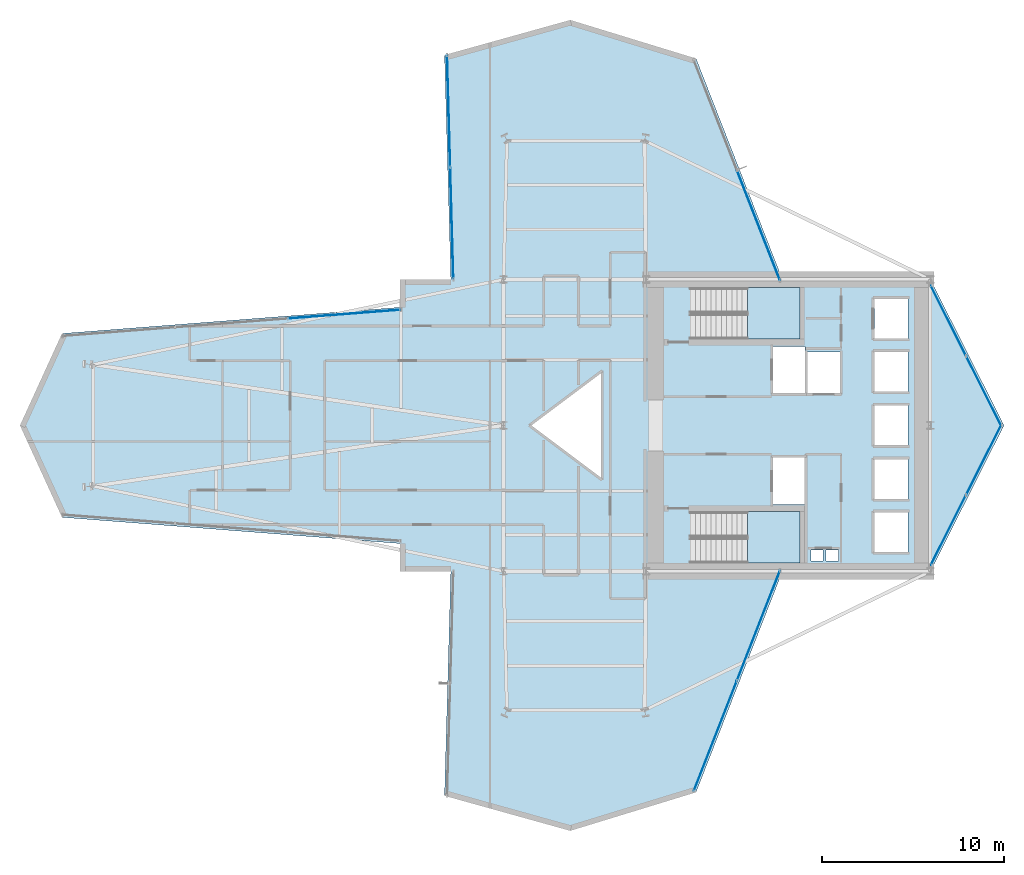
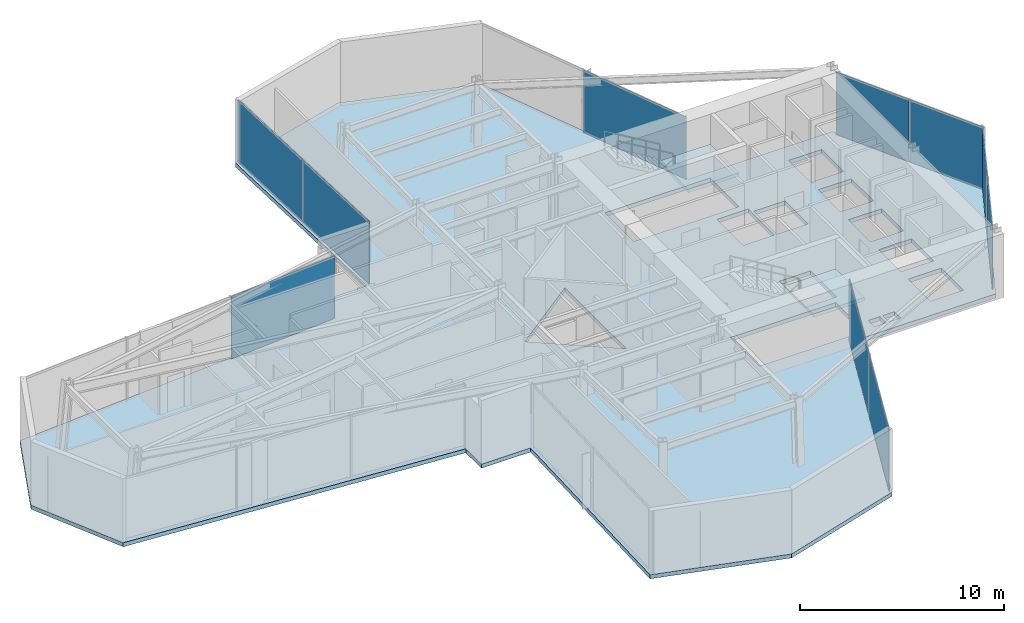
# One storey, part 24 of 29: 10 plates, 3 slabs, 8 elements without a shape of their own.
"""IFC4 building model written with IfcOpenShell, lengths in metres."""

from ifc_helpers import new_model, si_unit, direction, frame, origin, origin_2d, place, context, subcontext, project, spatial, polyline, rectangle, outline, extrude, material, layer, layer_set, type_object, element, aggregate, save


model = new_model("IFC4")

# Units and contexts
model_context = context("Model", 3, precision=1e-05, world=origin(), true_north=direction((0.0, 1.0)))
body_context = subcontext(model_context, "Body", "Model", "MODEL_VIEW")
ifc_project = project(units=[si_unit("LENGTHUNIT", "METRE"), si_unit("AREAUNIT", "SQUARE_METRE"), si_unit("VOLUMEUNIT", "CUBIC_METRE"), si_unit("PLANEANGLEUNIT", "RADIAN"), si_unit("MASSUNIT", "GRAM", prefix="KILO")], contexts=[model_context])

# Site, building, storey
site_placement = place(None, origin())
site = spatial("IfcSite", under=ifc_project, at=site_placement, CompositionType="ELEMENT")
building_placement = place(site_placement, origin())
building = spatial("IfcBuilding", under=site, at=building_placement, Name="Veymaron Broadcast Tower", CompositionType="ELEMENT")
storey_placement = place(building_placement, frame((0.0, 0.0, 58.050048828125)))
storey = spatial("IfcBuildingStorey", under=building, at=storey_placement, Name="L12", CompositionType="ELEMENT", Elevation=58.050048828125)

# Curtain wall, plates
ifc_material_1 = material(Name="Anodised aluminium AA 6063-T6 and laminated low-E dark glass", Category="aluminium")
ifc_layer_1 = layer(ifc_material_1, 0.179931640625)
ifc_layer_set_1 = layer_set([ifc_layer_1], Name="Anodised aluminium AA 6063-T6 and laminated low-E dark glass")
curtain_wall_type = type_object("IfcCurtainWallType", Name="CW-SYS-02", PredefinedType="NOTDEFINED", material=ifc_layer_set_1)
curtain_wall_1_placement = place(storey_placement, origin())
curtain_wall_1 = element("IfcCurtainWall", 1, at=curtain_wall_1_placement, inside=storey, type_object=curtain_wall_type, Name="L12 dark-glass curtain wall CW-L12-E2-1", PredefinedType="NOTDEFINED")
ifc_material_2 = material(Name="Double-silver solar-control dark glass IGU 32 mm", Category="glass")
ifc_layer_2 = layer(ifc_material_2, 0.031982421875)
ifc_layer_set_2 = layer_set([ifc_layer_2], Name="Double-silver solar-control dark glass IGU 32 mm")
plate_type = type_object("IfcPlateType", Name="CW-PNL-02", PredefinedType="CURTAIN_PANEL", material=ifc_layer_set_2)
plate_1_placement = place(storey_placement, frame((55.57958984375, 18.2548828125, 0.0400390625), z_axis=(0.0, 0.0, 1.0), x_axis=(0.450067269918, 0.892994654267, 0.0)))
plate_1 = element("IfcPlate", 2, at=plate_1_placement, type_object=plate_type, Name="CW-L12-E2-1 unitised curtain panel 0", PredefinedType="CURTAIN_PANEL", context=body_context, shape_type="SweptSolid", body=[
    extrude(rectangle(XDim=4.276123046875, YDim=0.031982421875, at=origin_2d()), origin(), (0.0, 0.0, 1.0), 3.72998046875),
])
plate_2_placement = place(storey_placement, frame((57.53125, 22.126953125, 0.0400390625), z_axis=(0.0, 0.0, 1.0), x_axis=(0.450067269918, 0.892994654267, 0.0)))
plate_2 = element("IfcPlate", 3, at=plate_2_placement, type_object=plate_type, Name="CW-L12-E2-1 unitised curtain panel 1", PredefinedType="CURTAIN_PANEL", context=body_context, shape_type="SweptSolid", body=[
    extrude(rectangle(XDim=4.276123046875, YDim=0.031982421875, at=origin_2d()), origin(), (0.0, 0.0, 1.0), 3.72998046875),
])
aggregate(curtain_wall_1, [plate_1, plate_2])

curtain_wall_2_placement = place(storey_placement, origin())
curtain_wall_2 = element("IfcCurtainWall", 4, at=curtain_wall_2_placement, inside=storey, type_object=curtain_wall_type, Name="L12 dark-glass curtain wall CW-L12-E3-1", PredefinedType="NOTDEFINED")
plate_3_placement = place(storey_placement, frame((57.53125, 25.873046875, 0.0400390625), z_axis=(0.0, 0.0, 1.0), x_axis=(-0.450067269918, 0.892994654267, 0.0)))
plate_3 = element("IfcPlate", 5, at=plate_3_placement, type_object=plate_type, Name="CW-L12-E3-1 unitised curtain panel 0", PredefinedType="CURTAIN_PANEL", context=body_context, shape_type="SweptSolid", body=[
    extrude(rectangle(XDim=4.276123046875, YDim=0.031982421875, at=origin_2d()), origin(), (0.0, 0.0, 1.0), 3.72998046875),
])
plate_4_placement = place(storey_placement, frame((55.57958984375, 29.7451171875, 0.0400390625), z_axis=(0.0, 0.0, 1.0), x_axis=(-0.450067269918, 0.892994654267, 0.0)))
plate_4 = element("IfcPlate", 6, at=plate_4_placement, type_object=plate_type, Name="CW-L12-E3-1 unitised curtain panel 1", PredefinedType="CURTAIN_PANEL", context=body_context, shape_type="SweptSolid", body=[
    extrude(rectangle(XDim=4.276123046875, YDim=0.031982421875, at=origin_2d()), origin(), (0.0, 0.0, 1.0), 3.72998046875),
])
aggregate(curtain_wall_2, [plate_3, plate_4])

# Curtain wall, plate
curtain_wall_3_placement = place(storey_placement, origin())
curtain_wall_3 = element("IfcCurtainWall", 7, at=curtain_wall_3_placement, inside=storey, type_object=curtain_wall_type, Name="L12 dark-glass curtain wall CW-L12-E5-1", PredefinedType="NOTDEFINED")
plate_5_placement = place(storey_placement, frame((45.173095703125, 34.97509765625, 0.0400390625), z_axis=(0.0, 0.0, 1.0), x_axis=(-0.36429171273, 0.931284890909, 0.0)))
plate_5 = element("IfcPlate", 8, at=plate_5_placement, type_object=plate_type, Name="CW-L12-E5-1 unitised curtain panel 0", PredefinedType="CURTAIN_PANEL", context=body_context, shape_type="SweptSolid", body=[
    extrude(rectangle(XDim=6.4384765625, YDim=0.031982421875, at=origin_2d()), origin(), (0.0, 0.0, 1.0), 3.72998046875),
])
aggregate(curtain_wall_3, [plate_5])

# Curtain wall, plates
curtain_wall_4_placement = place(storey_placement, origin())
curtain_wall_4 = element("IfcCurtainWall", 9, at=curtain_wall_4_placement, inside=storey, type_object=curtain_wall_type, Name="L12 dark-glass curtain wall CW-L12-E8-1", PredefinedType="NOTDEFINED")
plate_6_placement = place(storey_placement, frame((28.18603515625, 41.225830078125, 0.0400390625), z_axis=(0.0, 0.0, 1.0), x_axis=(0.028113549573, -0.999604736048, 0.0)))
plate_6 = element("IfcPlate", 10, at=plate_6_placement, type_object=plate_type, Name="CW-L12-E8-1 unitised curtain panel 0", PredefinedType="CURTAIN_PANEL", context=body_context, shape_type="SweptSolid", body=[
    extrude(rectangle(XDim=6.09033203125, YDim=0.031982421875, at=origin_2d()), origin(), (0.0, 0.0, 1.0), 3.72998046875),
])
plate_7_placement = place(storey_placement, frame((28.35888671875, 35.077880859375, 0.0400390625), z_axis=(0.0, 0.0, 1.0), x_axis=(0.028113549573, -0.999604736048, 0.0)))
plate_7 = element("IfcPlate", 11, at=plate_7_placement, type_object=plate_type, Name="CW-L12-E8-1 unitised curtain panel 1", PredefinedType="CURTAIN_PANEL", context=body_context, shape_type="SweptSolid", body=[
    extrude(rectangle(XDim=6.09033203125, YDim=0.031982421875, at=origin_2d()), origin(), (0.0, 0.0, 1.0), 3.72998046875),
])
aggregate(curtain_wall_4, [plate_6, plate_7])

# Curtain wall, plate
curtain_wall_5_placement = place(storey_placement, origin())
curtain_wall_5 = element("IfcCurtainWall", 12, at=curtain_wall_5_placement, inside=storey, type_object=curtain_wall_type, Name="L12 dark-glass curtain wall CW-L12-E11-1", PredefinedType="NOTDEFINED")
plate_8_placement = place(storey_placement, frame((22.45068359375, 30.09716796875, 0.0400390625), z_axis=(0.0, 0.0, 1.0), x_axis=(-0.997008399866, -0.07729327653, 0.0)))
plate_8 = element("IfcPlate", 13, at=plate_8_placement, type_object=plate_type, Name="CW-L12-E11-1 unitised curtain panel 0", PredefinedType="CURTAIN_PANEL", context=body_context, shape_type="SweptSolid", body=[
    extrude(rectangle(XDim=6.134521484375, YDim=0.031982421875, at=origin_2d()), origin(), (0.0, 0.0, 1.0), 3.72998046875),
])
aggregate(curtain_wall_5, [plate_8])

# Curtain wall, plates
curtain_wall_6_placement = place(storey_placement, origin())
curtain_wall_6 = element("IfcCurtainWall", 14, at=curtain_wall_6_placement, inside=storey, type_object=curtain_wall_type, Name="L12 dark-glass curtain wall CW-L12-E20-1", PredefinedType="NOTDEFINED")
plate_9_placement = place(storey_placement, frame((42.8056640625, 6.972900390625, 0.0400390625), z_axis=(0.0, 0.0, 1.0), x_axis=(0.36429171273, 0.931284890909, 0.0)))
plate_9 = element("IfcPlate", 15, at=plate_9_placement, type_object=plate_type, Name="CW-L12-E20-1 unitised curtain panel 0", PredefinedType="CURTAIN_PANEL", context=body_context, shape_type="SweptSolid", body=[
    extrude(rectangle(XDim=6.4384765625, YDim=0.031982421875, at=origin_2d()), origin(), (0.0, 0.0, 1.0), 3.72998046875),
])
plate_10_placement = place(storey_placement, frame((45.173095703125, 13.02490234375, 0.0400390625), z_axis=(0.0, 0.0, 1.0), x_axis=(0.36429171273, 0.931284890909, 0.0)))
plate_10 = element("IfcPlate", 16, at=plate_10_placement, type_object=plate_type, Name="CW-L12-E20-1 unitised curtain panel 1", PredefinedType="CURTAIN_PANEL", context=body_context, shape_type="SweptSolid", body=[
    extrude(rectangle(XDim=6.4384765625, YDim=0.031982421875, at=origin_2d()), origin(), (0.0, 0.0, 1.0), 3.72998046875),
])
aggregate(curtain_wall_6, [plate_9, plate_10])

# Slab
ifc_material_3 = material(Name="Concrete C40/50", Category="concrete")
ifc_layer_3 = layer(ifc_material_3, 0.239990234375)
ifc_layer_set_3 = layer_set([ifc_layer_3], Name="Concrete C40/50")
slab_type_1 = type_object("IfcSlabType", Name="SLAB-FS6", PredefinedType="FLOOR", material=ifc_layer_set_3)
slab_1_placement = place(storey_placement, frame((0.0, 0.0, -0.239990234375)))
element("IfcSlab", 17, at=slab_1_placement, inside=storey, type_object=slab_type_1, Name="L12 structural floor slab", PredefinedType="FLOOR", context=body_context, shape_type="SweptSolid", body=[
    extrude(outline(polyline([(46.487060546875, 16.0), (54.60009765625, 16.0), (58.632080078125, 24.0), (54.60009765625, 32.0), (46.487060546875, 32.0), (41.75244140625, 44.10400390625), (34.85595703125, 46.216064453125), (27.959716796875, 44.2958984375), (28.305419921875, 32.0), (25.528076171875, 32.0), (25.528076171875, 30.47607421875), (7.0, 29.039794921875), (4.696044921875, 24.0), (7.0, 18.960205078125), (25.528076171875, 17.52392578125), (25.528076171875, 16.0), (28.305419921875, 16.0), (27.959716796875, 3.7041015625), (34.85595703125, 1.783935546875), (41.75244140625, 3.89599609375), (46.487060546875, 16.0)]), holes=[polyline([(45.969970703125, 28.330078125), (47.72998046875, 28.330078125), (47.72998046875, 25.77001953125), (45.969970703125, 25.77001953125), (45.969970703125, 28.330078125)]), polyline([(45.969970703125, 22.22998046875), (47.72998046875, 22.22998046875), (47.72998046875, 19.669921875), (45.969970703125, 19.669921875), (45.969970703125, 22.22998046875)]), polyline([(47.8701171875, 28.030029296875), (49.6298828125, 28.030029296875), (49.6298828125, 25.77001953125), (47.8701171875, 25.77001953125), (47.8701171875, 28.030029296875)]), polyline([(51.52001953125, 30.929931640625), (53.3798828125, 30.929931640625), (53.3798828125, 28.77001953125), (51.52001953125, 28.77001953125), (51.52001953125, 30.929931640625)]), polyline([(51.52001953125, 28.030029296875), (53.3798828125, 28.030029296875), (53.3798828125, 25.8701171875), (51.52001953125, 25.8701171875), (51.52001953125, 28.030029296875)]), polyline([(51.52001953125, 22.1298828125), (53.3798828125, 22.1298828125), (53.3798828125, 19.969970703125), (51.52001953125, 19.969970703125), (51.52001953125, 22.1298828125)]), polyline([(51.52001953125, 25.080078125), (53.3798828125, 25.080078125), (53.3798828125, 22.919921875), (51.52001953125, 22.919921875), (51.52001953125, 25.080078125)]), polyline([(51.52001953125, 19.22998046875), (53.3798828125, 19.22998046875), (53.3798828125, 17.070068359375), (51.52001953125, 17.070068359375), (51.52001953125, 19.22998046875)]), polyline([(48.050048828125, 17.159912109375), (48.719970703125, 17.159912109375), (48.719970703125, 16.56005859375), (48.050048828125, 16.56005859375), (48.050048828125, 17.159912109375)]), polyline([(48.8798828125, 17.159912109375), (49.550048828125, 17.159912109375), (49.550048828125, 16.56005859375), (48.8798828125, 16.56005859375), (48.8798828125, 17.159912109375)]), polyline([(36.60009765625, 27.0), (36.60009765625, 21.0), (32.60009765625, 24.0), (36.60009765625, 27.0)]), polyline([(41.489990234375, 31.550048828125), (47.43994140625, 31.550048828125), (47.43994140625, 28.72998046875), (41.489990234375, 28.72998046875), (41.489990234375, 31.550048828125)]), polyline([(41.489990234375, 19.27001953125), (47.43994140625, 19.27001953125), (47.43994140625, 16.449951171875), (41.489990234375, 16.449951171875), (41.489990234375, 19.27001953125)])]), origin(), (0.0, 0.0, 1.0), 0.239990234375),
])

# Stair, slab
ifc_material_4 = material(Name="Concrete C50/60", Category="concrete")
stair_type_1 = type_object("IfcStairType", Name="STAIR-CORE-1", PredefinedType="HALF_TURN_STAIR", material=ifc_material_4)
stair_1_placement = place(storey_placement, origin())
stair_1 = element("IfcStair", 18, at=stair_1_placement, inside=storey, type_object=stair_type_1, Name="L12 North protected dog-leg exit stair ST1", PredefinedType="HALF_TURN_STAIR")
ifc_layer_4 = layer(ifc_material_4, 0.199951171875)
ifc_layer_set_4 = layer_set([ifc_layer_4], Name="Concrete C50/60")
slab_type_2 = type_object("IfcSlabType", Name="SLAB-STAIR-LDG", PredefinedType="LANDING", material=ifc_layer_set_4)
slab_2_placement = place(storey_placement, frame((0.0, 0.0, 1.824951171875)))
slab_2 = element("IfcSlab", 19, at=slab_2_placement, type_object=slab_type_2, Name="ST1 landing 1", PredefinedType="LANDING", context=body_context, shape_type="SweptSolid", body=[
    extrude(outline(polyline([(44.56494140625, 28.72998046875), (47.43994140625, 28.72998046875), (47.43994140625, 31.550048828125), (44.56494140625, 31.550048828125), (44.56494140625, 28.72998046875)])), origin(), (0.0, 0.0, 1.0), 0.199951171875),
])
aggregate(stair_1, [slab_2])

stair_type_2 = type_object("IfcStairType", Name="STAIR-CORE-2", PredefinedType="HALF_TURN_STAIR", material=ifc_material_4)
stair_2_placement = place(storey_placement, origin())
stair_2 = element("IfcStair", 20, at=stair_2_placement, inside=storey, type_object=stair_type_2, Name="L12 South protected dog-leg exit stair ST2", PredefinedType="HALF_TURN_STAIR")
slab_3_placement = place(storey_placement, frame((0.0, 0.0, 1.824951171875)))
slab_3 = element("IfcSlab", 21, at=slab_3_placement, type_object=slab_type_2, Name="ST2 landing 1", PredefinedType="LANDING", context=body_context, shape_type="SweptSolid", body=[
    extrude(outline(polyline([(44.56494140625, 16.449951171875), (47.43994140625, 16.449951171875), (47.43994140625, 19.27001953125), (44.56494140625, 19.27001953125), (44.56494140625, 16.449951171875)])), origin(), (0.0, 0.0, 1.0), 0.199951171875),
])
aggregate(stair_2, [slab_3])

save(model, "model.ifc")
